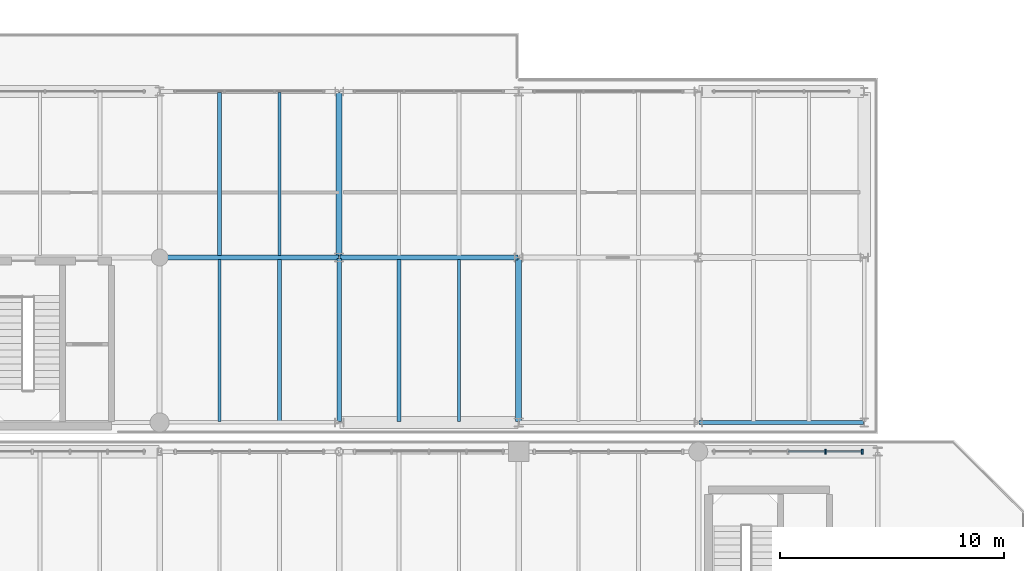
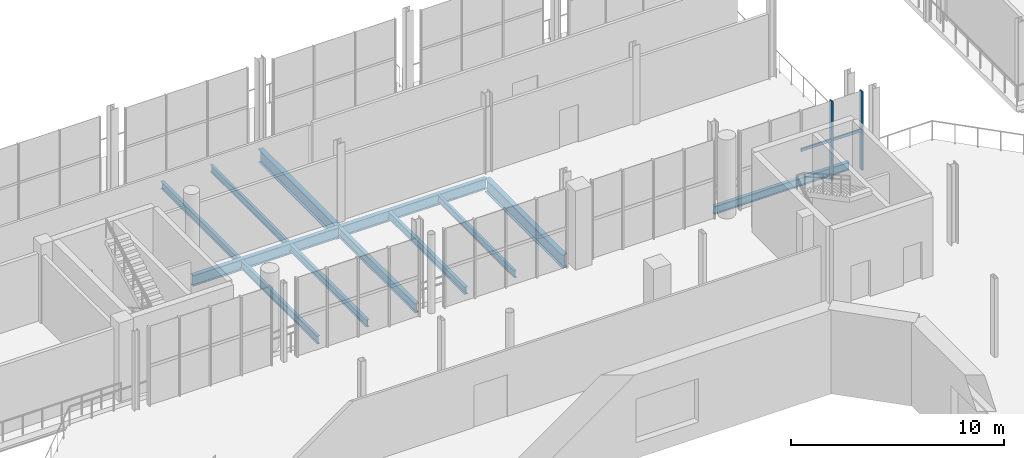
# One storey, part 49 of 93: 12 beams, 4 members, 1 element without a shape of its own.
"""IFC4 building model written with IfcOpenShell, lengths in metres."""

import ifcopenshell
import ifcopenshell.guid

model = None  # the IFC model being written
_history = None  # IfcOwnerHistory: only IFC2X3 demands one
_inside = {}  # id of a spatial element -> (the spatial element, [elements in it])
_under = {}  # id of a project, library or spatial element -> (it, [spatial elements below it])
_declared = {}  # id of a project -> (the project, [libraries it declares])
_typed = {}  # id of a type object -> (the type object, [elements of that type])
_made_of = {}  # id of a material, layer set ... -> (it, [elements and type objects made of it])


def new_model(schema):
    """Start an empty IFC model of exactly this schema.

    Asked for "IFC4X3", IfcOpenShell would pick the latest addendum, in which some entities
    have other attributes; the version numbers below select the first issue.
    IFC2X3 requires an IfcOwnerHistory on every rooted entity: one is made here for all.
    """
    global model, _history
    if schema == "IFC4X3":
        model = ifcopenshell.file(schema_version=(4, 3, 0, 0))
    else:
        model = ifcopenshell.file(schema=schema)
    _inside.clear()
    _under.clear()
    _declared.clear()
    _typed.clear()
    _made_of.clear()
    _history = None
    if model.schema == "IFC2X3":
        org = make("IfcOrganization", Name="unknown")
        user = make(
            "IfcPersonAndOrganization",
            ThePerson=make("IfcPerson", FamilyName="unknown"),
            TheOrganization=org,
        )
        app = make(
            "IfcApplication",
            ApplicationDeveloper=org,
            Version="unknown",
            ApplicationFullName="unknown",
            ApplicationIdentifier="unknown",
        )
        _history = make(
            "IfcOwnerHistory",
            OwningUser=user,
            OwningApplication=app,
            ChangeAction="ADDED",
            CreationDate=0,
        )
    return model


def make(cls, **values):
    """One entity of the class cls with the attributes given. An attribute that is None is left unset."""
    return model.create_entity(
        cls, **{name: value for name, value in values.items() if value is not None}
    )


def rooted(cls, **values):
    """An entity with a GlobalId (a new one), such as an element, a storey or a relation."""
    return make(cls, GlobalId=ifcopenshell.guid.new(), OwnerHistory=_history, **values)


def si_unit(unit_type, name, prefix=None):
    """IfcSIUnit, for example si_unit("LENGTHUNIT", "METRE", prefix="MILLI")."""
    return make("IfcSIUnit", UnitType=unit_type, Prefix=prefix, Name=name)


def assignment(units):
    """IfcUnitAssignment: the units of a project."""
    return None if units is None else make("IfcUnitAssignment", Units=units)


def point(xyz):
    """IfcCartesianPoint."""
    return None if xyz is None else make("IfcCartesianPoint", Coordinates=xyz)


def direction(xyz):
    """IfcDirection."""
    return None if xyz is None else make("IfcDirection", DirectionRatios=xyz)


def frame(location, z_axis=None, x_axis=None):
    """IfcAxis2Placement3D, a coordinate frame: its origin and axes. An axis left out is left unset."""
    return make(
        "IfcAxis2Placement3D",
        Location=point(location),
        Axis=direction(z_axis),
        RefDirection=direction(x_axis),
    )


def frame_2d(location, x_axis=None):
    """IfcAxis2Placement2D, a coordinate frame in the plane: its origin and x axis."""
    return make(
        "IfcAxis2Placement2D", Location=point(location), RefDirection=direction(x_axis)
    )


def origin():
    """The frame at (0, 0, 0) with its axes left unset."""
    return frame((0.0, 0.0, 0.0))


def origin_2d():
    """The frame at (0, 0) in the plane with its x axis left unset."""
    return frame_2d((0.0, 0.0))


def place(relative_to, where):
    """IfcLocalPlacement: puts the frame where relative to a parent placement (None: the world)."""
    return make(
        "IfcLocalPlacement", PlacementRelTo=relative_to, RelativePlacement=where
    )


def context(
    kind, dimensions, precision=None, world=None, true_north=None, identifier=None
):
    """IfcGeometricRepresentationContext, for example the 3D "Model" context."""
    return make(
        "IfcGeometricRepresentationContext",
        ContextIdentifier=identifier,
        ContextType=kind,
        CoordinateSpaceDimension=dimensions,
        Precision=precision,
        WorldCoordinateSystem=world,
        TrueNorth=true_north,
    )


def subcontext(parent, identifier, kind, view, scale=None):
    """IfcGeometricRepresentationSubContext, for example "Body" below "Model"."""
    return make(
        "IfcGeometricRepresentationSubContext",
        ContextIdentifier=identifier,
        ContextType=kind,
        ParentContext=parent,
        TargetScale=scale,
        TargetView=view,
    )


def project(units=None, contexts=None):
    """IfcProject with its units and contexts."""
    return rooted(
        "IfcProject",
        Name="project",
        RepresentationContexts=contexts,
        UnitsInContext=assignment(units),
    )


def spatial(cls, under=None, at=None, **own):
    """A site, building, storey or space (cls), placed at a placement, below another one or the project."""
    s = rooted(cls, ObjectPlacement=at, **own)
    if under is not None:
        _under.setdefault(under.id(), (under, []))[1].append(s)
    return s


def profile(cls, at=None, kind="AREA", **sizes):
    """A parametric profile (cls). Its sizes go by their IFC names, for example OverallWidth=200.0."""
    return make(cls, ProfileType=kind, Position=at, **sizes)


def rectangle(**sizes):
    """IfcRectangleProfileDef."""
    return profile("IfcRectangleProfileDef", **sizes)


def i_section(**sizes):
    """IfcIShapeProfileDef."""
    return profile("IfcIShapeProfileDef", **sizes)


def extrude(swept, where, along, depth):
    """IfcExtrudedAreaSolid: the profile swept, set in the frame where, extruded along a direction by depth."""
    return make(
        "IfcExtrudedAreaSolid",
        SweptArea=swept,
        Position=where,
        ExtrudedDirection=direction(along),
        Depth=depth,
    )


def shape(context_of_items, identifier, shape_type, items):
    """IfcShapeRepresentation: the items that make up one representation, for example the "Body"."""
    return make(
        "IfcShapeRepresentation",
        ContextOfItems=context_of_items,
        RepresentationIdentifier=identifier,
        RepresentationType=shape_type,
        Items=items,
    )


def material(Name=None, Category=None):
    """IfcMaterial."""
    return make("IfcMaterial", Name=Name, Category=Category)


def material_profile(
    of_material, cross_section, Name=None, Category=None, Priority=None
):
    """IfcMaterialProfile: a cross section and its material."""
    return make(
        "IfcMaterialProfile",
        Name=Name,
        Material=of_material,
        Profile=cross_section,
        Priority=Priority,
        Category=Category,
    )


def profile_set(profiles, Name=None, composite=None):
    """IfcMaterialProfileSet."""
    return make(
        "IfcMaterialProfileSet",
        Name=Name,
        MaterialProfiles=profiles,
        CompositeProfile=composite,
    )


def made_of(thing, what):
    """Note that an element or type object is made of a material, layer set ...; save() writes the relation."""
    if what is not None:
        _made_of.setdefault(what.id(), (what, []))[1].append(thing)
    return thing


def type_object(cls, material=None, **own):
    """A type object (cls), such as IfcWallType, which elements share."""
    return made_of(rooted(cls, **own), material)


def element(
    cls,
    number,
    at=None,
    inside=None,
    cuts=None,
    type_object=None,
    material=None,
    context=None,
    identifier="Body",
    shape_type=None,
    held_by="IfcProductDefinitionShape",
    body=None,
    shapes=None,
    **own,
):
    """One element of the class cls, such as IfcWall. Its Tag is "e" and its number.

    at: its placement. inside: the storey or other place that contains it. cuts: it is an
    opening in that element (IfcRelVoidsElement). A single representation is given by context,
    identifier, shape_type and body (its items); several are given by shapes. held_by: the class
    of the entity that holds the representations. save() writes the other relations.
    """
    e = rooted(cls, Tag="e%d" % number, ObjectPlacement=at, **own)
    if body is not None:
        shapes = [shape(context, identifier, shape_type, body)]
    if shapes is not None:
        e.Representation = make(held_by, Representations=shapes)
    if inside is not None:
        _inside.setdefault(inside.id(), (inside, []))[1].append(e)
    if cuts is not None:
        rooted(
            "IfcRelVoidsElement", RelatingBuildingElement=cuts, RelatedOpeningElement=e
        )
    if type_object is not None:
        _typed.setdefault(type_object.id(), (type_object, []))[1].append(e)
    return made_of(e, material)


def aggregate(whole, parts):
    """IfcRelAggregates: a whole, such as a stair, and the parts it consists of."""
    return rooted("IfcRelAggregates", RelatingObject=whole, RelatedObjects=parts)


def save(model, path):
    """Write the relations noted so far, then the file.

    IfcRelAggregates (storeys below a building ...), IfcRelContainedInSpatialStructure (elements
    in a storey), IfcRelDefinesByType, IfcRelAssociatesMaterial and IfcRelDeclares: one each for
    every whole, place, type object, material and project.
    """
    for whole, parts in _under.values():
        aggregate(whole, parts)
    for where, things in _inside.values():
        rooted(
            "IfcRelContainedInSpatialStructure",
            RelatedElements=things,
            RelatingStructure=where,
        )
    for kind, things in _typed.values():
        rooted("IfcRelDefinesByType", RelatedObjects=things, RelatingType=kind)
    for what, things in _made_of.values():
        rooted("IfcRelAssociatesMaterial", RelatedObjects=things, RelatingMaterial=what)
    for by, libraries in _declared.values():
        rooted("IfcRelDeclares", RelatingContext=by, RelatedDefinitions=libraries)
    model.write(path)


model = new_model("IFC4")

# Units and contexts
model_context = context("Model", 3, precision=1e-05, world=origin(), true_north=direction((0.0, 1.0)))
body_context = subcontext(model_context, "Body", "Model", "MODEL_VIEW")
ifc_project = project(units=[si_unit("LENGTHUNIT", "METRE"), si_unit("AREAUNIT", "SQUARE_METRE"), si_unit("VOLUMEUNIT", "CUBIC_METRE"), si_unit("PLANEANGLEUNIT", "RADIAN"), si_unit("MASSUNIT", "GRAM", prefix="KILO")], contexts=[model_context])

# Site, building, storey
site_placement = place(None, origin())
site = spatial("IfcSite", under=ifc_project, at=site_placement, CompositionType="ELEMENT")
building_placement = place(site_placement, origin())
building = spatial("IfcBuilding", under=site, at=building_placement, Name="Brisemont Oceanarium", CompositionType="ELEMENT")
storey_placement = place(building_placement, frame((0.0, 0.0, 5.39990234375)))
storey = spatial("IfcBuildingStorey", under=building, at=storey_placement, Name="L01", CompositionType="ELEMENT", Elevation=5.39990234375)

# Beams
ifc_material_1 = material(Name="Structural Steel ASTM A992 Gr.50", Category="steel")
ifc_material_profile_1 = material_profile(ifc_material_1, i_section(OverallWidth=0.139892578125, OverallDepth=0.39892578125, WebThickness=0.00634765625, FlangeThickness=0.0087890625, FilletRadius=0.010009765625, at=origin_2d()), Name="W16X26")
ifc_profile_set_1 = profile_set([ifc_material_profile_1], Name="Structural Steel ASTM A992 Gr.50")
beam_type_1 = type_object("IfcBeamType", Name="BM-W16X26", PredefinedType="JOIST", material=ifc_profile_set_1)
beam_1_placement = place(storey_placement, frame((77.333251953125, 88.090087890625, -0.539306640625), z_axis=(0.0, 1.0, 0.0), x_axis=(-1.0, 0.0, 0.0)))
element("IfcBeam", 1, at=beam_1_placement, inside=storey, type_object=beam_type_1, Name="V7E L01 secondary floor beam", PredefinedType="JOIST", context=body_context, shape_type="SweptSolid", body=[
    extrude(i_section(OverallWidth=0.139892578125, OverallDepth=0.39892578125, WebThickness=0.00634765625, FlangeThickness=0.0087890625, FilletRadius=0.010009765625, at=origin_2d()), origin(), (0.0, 0.0, 1.0), 7.27001953125),
])
beam_2_placement = place(storey_placement, frame((85.333251953125, 80.68994140625, -0.539306640625), z_axis=(0.0, 1.0, 0.0), x_axis=(-1.0, 0.0, 0.0)))
element("IfcBeam", 2, at=beam_2_placement, inside=storey, type_object=beam_type_1, Name="V7E L01 secondary floor beam", PredefinedType="JOIST", context=body_context, shape_type="SweptSolid", body=[
    extrude(i_section(OverallWidth=0.139892578125, OverallDepth=0.39892578125, WebThickness=0.00634765625, FlangeThickness=0.0087890625, FilletRadius=0.010009765625, at=origin_2d()), origin(), (0.0, 0.0, 1.0), 7.219970703125),
])
ifc_material_2 = material(Name="Structural Steel ASTM A992 Gr.50", Category="steel")
ifc_material_profile_2 = material_profile(ifc_material_2, i_section(OverallWidth=0.177978515625, OverallDepth=0.404052734375, WebThickness=0.007568359375, FlangeThickness=0.010986328125, FilletRadius=0.010009765625, at=origin_2d()), Name="W16X36")
ifc_profile_set_2 = profile_set([ifc_material_profile_2], Name="Structural Steel ASTM A992 Gr.50")
beam_type_2 = type_object("IfcBeamType", Name="BM-W16X36", PredefinedType="JOIST", material=ifc_profile_set_2)
beam_3_placement = place(storey_placement, frame((77.333251953125, 80.68994140625, -0.5419921875), z_axis=(0.0, 1.0, 0.0), x_axis=(-1.0, 0.0, 0.0)))
element("IfcBeam", 3, at=beam_3_placement, inside=storey, type_object=beam_type_2, Name="V7E L01 secondary floor beam", PredefinedType="JOIST", context=body_context, shape_type="SweptSolid", body=[
    extrude(i_section(OverallWidth=0.177978515625, OverallDepth=0.404052734375, WebThickness=0.007568359375, FlangeThickness=0.010986328125, FilletRadius=0.010009765625, at=origin_2d()), origin(), (0.0, 0.0, 1.0), 7.219970703125),
])
beam_4_placement = place(storey_placement, frame((74.666748046875, 88.090087890625, -0.5419921875), z_axis=(0.0, 1.0, 0.0), x_axis=(-1.0, 0.0, 0.0)))
element("IfcBeam", 4, at=beam_4_placement, inside=storey, type_object=beam_type_2, Name="V7E L01 secondary floor beam", PredefinedType="JOIST", context=body_context, shape_type="SweptSolid", body=[
    extrude(i_section(OverallWidth=0.177978515625, OverallDepth=0.404052734375, WebThickness=0.007568359375, FlangeThickness=0.010986328125, FilletRadius=0.010009765625, at=origin_2d()), origin(), (0.0, 0.0, 1.0), 7.27001953125),
])
beam_5_placement = place(storey_placement, frame((82.666748046875, 80.68994140625, -0.5419921875), z_axis=(0.0, 1.0, 0.0), x_axis=(-1.0, 0.0, 0.0)))
element("IfcBeam", 5, at=beam_5_placement, inside=storey, type_object=beam_type_2, Name="V7E L01 secondary floor beam", PredefinedType="JOIST", context=body_context, shape_type="SweptSolid", body=[
    extrude(i_section(OverallWidth=0.177978515625, OverallDepth=0.404052734375, WebThickness=0.007568359375, FlangeThickness=0.010986328125, FilletRadius=0.010009765625, at=origin_2d()), origin(), (0.0, 0.0, 1.0), 7.219970703125),
])
ifc_material_3 = material(Name="Structural Steel ASTM A992 Gr.50", Category="steel")
ifc_material_profile_3 = material_profile(ifc_material_3, i_section(OverallWidth=0.153076171875, OverallDepth=0.455078125, WebThickness=0.008056640625, FlangeThickness=0.01318359375, FilletRadius=0.010986328125, at=origin_2d()), Name="W18X40")
ifc_profile_set_3 = profile_set([ifc_material_profile_3], Name="Structural Steel ASTM A992 Gr.50")
beam_type_3 = type_object("IfcBeamType", Name="BM-W18X40", PredefinedType="JOIST", material=ifc_profile_set_3)
beam_6_placement = place(storey_placement, frame((74.666748046875, 80.68994140625, -0.5673828125), z_axis=(0.0, 1.0, 0.0), x_axis=(-1.0, 0.0, 0.0)))
element("IfcBeam", 6, at=beam_6_placement, inside=storey, type_object=beam_type_3, Name="V7E L01 secondary floor beam", PredefinedType="JOIST", context=body_context, shape_type="SweptSolid", body=[
    extrude(i_section(OverallWidth=0.153076171875, OverallDepth=0.455078125, WebThickness=0.008056640625, FlangeThickness=0.01318359375, FilletRadius=0.010986328125, at=origin_2d()), origin(), (0.0, 0.0, 1.0), 7.219970703125),
])
ifc_material_4 = material(Name="Structural Steel ASTM A992 Gr.50", Category="steel")
ifc_material_profile_4 = material_profile(ifc_material_4, i_section(OverallWidth=0.19091796875, OverallDepth=0.4599609375, WebThickness=0.010009765625, FlangeThickness=0.01611328125, FilletRadius=0.010986328125, at=origin_2d()), Name="W18X55")
ifc_profile_set_4 = profile_set([ifc_material_profile_4], Name="Structural Steel ASTM A992 Gr.50")
beam_type_4 = type_object("IfcBeamType", Name="BM-W18X55", PredefinedType="SPANDREL", material=ifc_profile_set_4)
beam_7_placement = place(storey_placement, frame((96.0400390625, 80.64990234375, -0.56982421875), z_axis=(1.0, 0.0, 0.0), x_axis=(0.0, 1.0, 0.0)))
element("IfcBeam", 7, at=beam_7_placement, inside=storey, type_object=beam_type_4, Name="V7E L01 EW girder", PredefinedType="SPANDREL", context=body_context, shape_type="SweptSolid", body=[
    extrude(i_section(OverallWidth=0.19091796875, OverallDepth=0.4599609375, WebThickness=0.010009765625, FlangeThickness=0.01611328125, FilletRadius=0.010986328125, at=origin_2d()), origin(), (0.0, 0.0, 1.0), 7.320068359375),
])
ifc_material_5 = material(Name="Structural Steel ASTM A992 Gr.50", Category="steel")
ifc_material_profile_5 = material_profile(ifc_material_5, i_section(OverallWidth=0.2099609375, OverallDepth=0.532958984375, WebThickness=0.01025390625, FlangeThickness=0.015625, FilletRadius=0.012939453125, at=origin_2d()), Name="W21X62")
ifc_profile_set_5 = profile_set([ifc_material_profile_5], Name="Structural Steel ASTM A992 Gr.50")
beam_type_5 = type_object("IfcBeamType", Name="BM-W21X62", PredefinedType="BEAM", material=ifc_profile_set_5)
beam_8_placement = place(storey_placement, frame((80.0, 80.68994140625, -0.6064453125), z_axis=(0.0, 1.0, 0.0), x_axis=(-1.0, 0.0, 0.0)))
element("IfcBeam", 8, at=beam_8_placement, inside=storey, type_object=beam_type_5, Name="V7E L01 NS girder", PredefinedType="BEAM", context=body_context, shape_type="SweptSolid", body=[
    extrude(i_section(OverallWidth=0.2099609375, OverallDepth=0.532958984375, WebThickness=0.01025390625, FlangeThickness=0.015625, FilletRadius=0.012939453125, at=origin_2d()), origin(), (0.0, 0.0, 1.0), 7.27001953125),
])
ifc_material_6 = material(Name="Structural Steel ASTM A992 Gr.50", Category="steel")
ifc_material_profile_6 = material_profile(ifc_material_6, i_section(OverallWidth=0.22802734375, OverallDepth=0.60205078125, WebThickness=0.010498046875, FlangeThickness=0.014892578125, FilletRadius=0.012939453125, at=origin_2d()), Name="W24X68")
ifc_profile_set_6 = profile_set([ifc_material_profile_6], Name="Structural Steel ASTM A992 Gr.50")
beam_type_6 = type_object("IfcBeamType", Name="BM-W24X68", PredefinedType="BEAM", material=ifc_profile_set_6)
beam_9_placement = place(storey_placement, frame((80.0400390625, 88.0, -0.640869140625), z_axis=(1.0, 0.0, 0.0), x_axis=(0.0, 1.0, 0.0)))
element("IfcBeam", 9, at=beam_9_placement, inside=storey, type_object=beam_type_6, Name="V7E L01 EW girder", PredefinedType="BEAM", context=body_context, shape_type="SweptSolid", body=[
    extrude(i_section(OverallWidth=0.22802734375, OverallDepth=0.60205078125, WebThickness=0.010498046875, FlangeThickness=0.014892578125, FilletRadius=0.012939453125, at=origin_2d()), origin(), (0.0, 0.0, 1.0), 7.919921875),
])
ifc_material_7 = material(Name="Structural Steel ASTM A992 Gr.50", Category="steel")
ifc_material_profile_7 = material_profile(ifc_material_7, i_section(OverallWidth=0.22802734375, OverallDepth=0.60791015625, WebThickness=0.01123046875, FlangeThickness=0.017333984375, FilletRadius=0.012939453125, at=origin_2d()), Name="W24X76")
ifc_profile_set_7 = profile_set([ifc_material_profile_7], Name="Structural Steel ASTM A992 Gr.50")
beam_type_7 = type_object("IfcBeamType", Name="BM-W24X76", PredefinedType="BEAM", material=ifc_profile_set_7)
beam_10_placement = place(storey_placement, frame((72.0400390625, 88.0, -0.643798828125), z_axis=(1.0, 0.0, 0.0), x_axis=(0.0, 1.0, 0.0)))
element("IfcBeam", 10, at=beam_10_placement, inside=storey, type_object=beam_type_7, Name="V7E L01 EW girder", PredefinedType="BEAM", context=body_context, shape_type="SweptSolid", body=[
    extrude(i_section(OverallWidth=0.22802734375, OverallDepth=0.60791015625, WebThickness=0.01123046875, FlangeThickness=0.017333984375, FilletRadius=0.012939453125, at=origin_2d()), origin(), (0.0, 0.0, 1.0), 7.919921875),
])
ifc_material_8 = material(Name="Structural Steel ASTM A992 Gr.50", Category="steel")
ifc_material_profile_8 = material_profile(ifc_material_8, i_section(OverallWidth=0.26708984375, OverallDepth=0.761962890625, WebThickness=0.014404296875, FlangeThickness=0.021484375, FilletRadius=0.01611328125, at=origin_2d()), Name="W30X116")
ifc_profile_set_8 = profile_set([ifc_material_profile_8], Name="Structural Steel ASTM A992 Gr.50")
beam_type_8 = type_object("IfcBeamType", Name="BM-W30X116", PredefinedType="BEAM", material=ifc_profile_set_8)
beam_11_placement = place(storey_placement, frame((80.0, 88.0400390625, -0.720947265625), z_axis=(0.0, 1.0, 0.0), x_axis=(-1.0, 0.0, 0.0)))
element("IfcBeam", 11, at=beam_11_placement, inside=storey, type_object=beam_type_8, Name="V7E L01 NS girder", PredefinedType="BEAM", context=body_context, shape_type="SweptSolid", body=[
    extrude(i_section(OverallWidth=0.26708984375, OverallDepth=0.761962890625, WebThickness=0.014404296875, FlangeThickness=0.021484375, FilletRadius=0.01611328125, at=origin_2d()), origin(), (0.0, 0.0, 1.0), 7.320068359375),
])
beam_12_placement = place(storey_placement, frame((88.0, 80.68994140625, -0.720947265625), z_axis=(0.0, 1.0, 0.0), x_axis=(-1.0, 0.0, 0.0)))
element("IfcBeam", 12, at=beam_12_placement, inside=storey, type_object=beam_type_8, Name="V7E L01 NS girder", PredefinedType="BEAM", context=body_context, shape_type="SweptSolid", body=[
    extrude(i_section(OverallWidth=0.26708984375, OverallDepth=0.761962890625, WebThickness=0.014404296875, FlangeThickness=0.021484375, FilletRadius=0.01611328125, at=origin_2d()), origin(), (0.0, 0.0, 1.0), 7.27001953125),
])

# Curtain wall, members
ifc_material_9 = material(Name="Anodized Extruded Aluminum 6063-T6", Category="aluminium")
curtain_wall_type = type_object("IfcCurtainWallType", Name="CW-ROT-69X44", PredefinedType="NOTDEFINED", material=ifc_material_9)
curtain_wall_placement = place(storey_placement, origin())
curtain_wall = element("IfcCurtainWall", 13, at=curtain_wall_placement, inside=storey, type_object=curtain_wall_type, Name="CW-03 curtain wall CW-V1-N-L01-05", PredefinedType="NOTDEFINED")
ifc_material_10 = material(Name="Anodized Extruded Aluminum 6063-T6", Category="aluminium")
ifc_material_profile_9 = material_profile(ifc_material_10, rectangle(XDim=0.074951171875, YDim=0.219970703125, at=origin_2d()), Name="CWM-75X220")
ifc_profile_set_9 = profile_set([ifc_material_profile_9], Name="Anodized Extruded Aluminum 6063-T6")
member_type_1 = type_object("IfcMemberType", Name="MEM-CWM-75", PredefinedType="MULLION", material=ifc_profile_set_9)
member_1_placement = place(storey_placement, frame((101.675048828125, 79.35009765625, 0.0), z_axis=(0.0, 0.0, 1.0), x_axis=(1.0, 0.0, 0.0)))
member_1 = element("IfcMember", 14, at=member_1_placement, type_object=member_type_1, Name="CW-V1-N-L01-05 mullion 4", PredefinedType="MULLION", context=body_context, shape_type="SweptSolid", body=[
    extrude(rectangle(XDim=0.074951171875, YDim=0.219970703125, at=origin_2d()), origin(), (0.0, 0.0, 1.0), 4.5),
])
member_2_placement = place(storey_placement, frame((103.304931640625, 79.35009765625, 0.0), z_axis=(0.0, 0.0, 1.0), x_axis=(1.0, 0.0, 0.0)))
member_2 = element("IfcMember", 15, at=member_2_placement, type_object=member_type_1, Name="CW-V1-N-L01-05 mullion 5", PredefinedType="MULLION", context=body_context, shape_type="SweptSolid", body=[
    extrude(rectangle(XDim=0.074951171875, YDim=0.219970703125, at=origin_2d()), origin(), (0.0, 0.0, 1.0), 4.5),
])
ifc_material_11 = material(Name="Anodized Extruded Aluminum 6063-T6", Category="aluminium")
ifc_material_profile_10 = material_profile(ifc_material_11, rectangle(XDim=0.074951171875, YDim=0.1650390625, at=origin_2d()), Name="CWT-75X165")
ifc_profile_set_10 = profile_set([ifc_material_profile_10], Name="Anodized Extruded Aluminum 6063-T6")
member_type_2 = type_object("IfcMemberType", Name="MEM-CWT-75", PredefinedType="USERDEFINED", material=ifc_profile_set_10)
member_3_placement = place(storey_placement, frame((100.014892578125, 79.35009765625, 2.25), z_axis=(1.0, 0.0, 0.0), x_axis=(0.0, 1.0, 0.0)))
member_3 = element("IfcMember", 16, at=member_3_placement, type_object=member_type_2, Name="CW-V1-N-L01-05 transom 3.1", ObjectType="TRANSOM", PredefinedType="USERDEFINED", context=body_context, shape_type="SweptSolid", body=[
    extrude(rectangle(XDim=0.074951171875, YDim=0.1650390625, at=origin_2d()), origin(), (0.0, 0.0, 1.0), 1.64501953125),
])
member_4_placement = place(storey_placement, frame((101.68994140625, 79.35009765625, 2.25), z_axis=(1.0, 0.0, 0.0), x_axis=(0.0, 1.0, 0.0)))
member_4 = element("IfcMember", 17, at=member_4_placement, type_object=member_type_2, Name="CW-V1-N-L01-05 transom 4.1", ObjectType="TRANSOM", PredefinedType="USERDEFINED", context=body_context, shape_type="SweptSolid", body=[
    extrude(rectangle(XDim=0.074951171875, YDim=0.1650390625, at=origin_2d()), origin(), (0.0, 0.0, 1.0), 1.64501953125),
])
aggregate(curtain_wall, [member_1, member_2, member_3, member_4])

save(model, "model.ifc")
